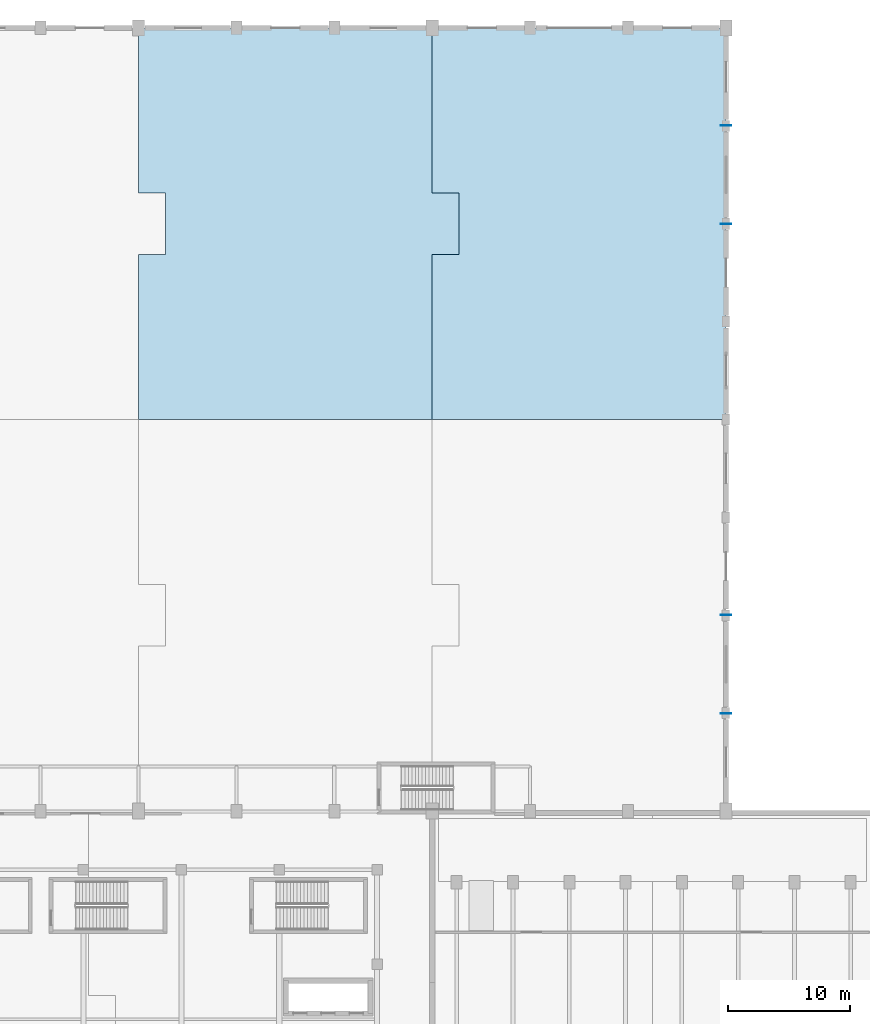
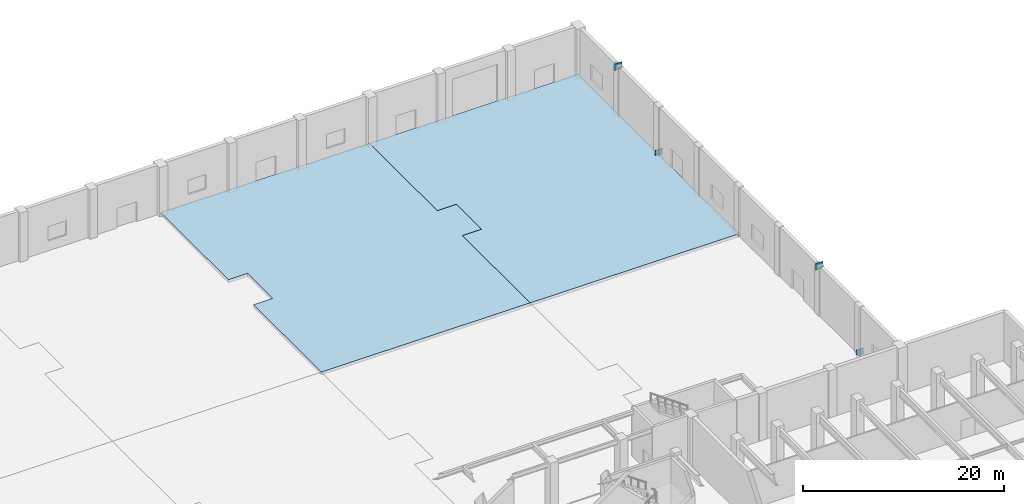
# One storey, part 27 of 49: 4 plates, 2 slabs.
"""IFC4 building model written with IfcOpenShell, lengths in metres."""

from ifc_helpers import new_model, si_unit, direction, frame, origin, origin_2d, place, context, subcontext, project, spatial, polyline, rectangle, outline, extrude, material, layer, layer_set, type_object, element, save


model = new_model("IFC4")

# Units and contexts
model_context = context("Model", 3, precision=1e-05, world=origin(), true_north=direction((0.0, 1.0)))
body_context = subcontext(model_context, "Body", "Model", "MODEL_VIEW")
ifc_project = project(units=[si_unit("LENGTHUNIT", "METRE"), si_unit("AREAUNIT", "SQUARE_METRE"), si_unit("VOLUMEUNIT", "CUBIC_METRE"), si_unit("PLANEANGLEUNIT", "RADIAN"), si_unit("MASSUNIT", "GRAM", prefix="KILO")], contexts=[model_context])

# Site, building, storey
site_placement = place(None, origin())
site = spatial("IfcSite", under=ifc_project, at=site_placement, CompositionType="ELEMENT")
building_placement = place(site_placement, origin())
building = spatial("IfcBuilding", under=site, at=building_placement, Name="Tlacozan Convention Centre", CompositionType="ELEMENT")
storey_placement = place(building_placement, origin())
storey = spatial("IfcBuildingStorey", under=building, at=storey_placement, Name="L00", CompositionType="ELEMENT", Elevation=0.0)

# Plates
ifc_material_1 = material(Name="Steel ASTM A572 Grade 50", Category="steel")
ifc_layer_1 = layer(ifc_material_1, 0.034912109375)
ifc_layer_set_1 = layer_set([ifc_layer_1], Name="Steel ASTM A572 Grade 50")
plate_type = type_object("IfcPlateType", Name="Arch Crown Splice Gusset Plate", PredefinedType="SHEET", material=ifc_layer_set_1)
for number, where, z_axis, x_axis, name in (
    (1, (168.0, 69.982421875, -0.21240234375), (0.0, 0.0, 1.0), (0.0, 1.0, 0.0), "L00 Gusset Cap Plate 961"),
    (2, (168.0, 78.017578125, 5.412109375), (0.0, 0.0, 1.0), (0.0, 1.0, 0.0), "L00 Gusset Cap Plate 962"),
    (3, (168.0, 109.982421875, -0.21240234375), (0.0, 0.0, 1.0), (0.0, 1.0, 0.0), "L00 Gusset Cap Plate 963"),
    (4, (168.0, 118.017578125, 5.412109375), (0.0, 0.0, 1.0), (0.0, 1.0, 0.0), "L00 Gusset Cap Plate 964"),
):
    element("IfcPlate", number, at=place(storey_placement, frame(where, z_axis=z_axis, x_axis=x_axis)), inside=storey, type_object=plate_type, Name=name, PredefinedType="SHEET", context=body_context, shape_type="SweptSolid", body=[
        extrude(rectangle(XDim=0.034912109375, YDim=0.85009765625, at=origin_2d()), origin(), (0.0, 0.0, 1.0), 0.800048828125),
    ])

# Slabs
ifc_material_2 = material(Name="Concrete C40/50", Category="concrete")
ifc_layer_2 = layer(ifc_material_2, 0.3798828125)
ifc_layer_set_2 = layer_set([ifc_layer_2], Name="Concrete C40/50")
slab_type = type_object("IfcSlabType", Name="Heavy Exhibition Floor Slab 380", PredefinedType="FLOOR", material=ifc_layer_set_2)
slab_1_placement = place(storey_placement, frame((0.0, 0.0, -0.3798828125)))
element("IfcSlab", 5, at=slab_1_placement, inside=storey, type_object=slab_type, Name="L00 Heavy Exhibition Floor Slab 380 41", PredefinedType="FLOOR", context=body_context, shape_type="SweptSolid", body=[
    extrude(outline(polyline([(120.0, 107.5), (122.199951171875, 107.5), (122.199951171875, 112.5), (120.0, 112.5), (120.0, 126.0), (144.0, 126.0), (144.0, 112.5), (146.199951171875, 112.5), (146.199951171875, 107.5), (144.0, 107.5), (144.0, 94.0), (120.0, 94.0), (120.0, 107.5)])), origin(), (0.0, 0.0, 1.0), 0.3798828125),
])
slab_2_placement = place(storey_placement, frame((0.0, 0.0, -0.3798828125)))
element("IfcSlab", 6, at=slab_2_placement, inside=storey, type_object=slab_type, Name="L00 Heavy Exhibition Floor Slab 380 43", PredefinedType="FLOOR", context=body_context, shape_type="SweptSolid", body=[
    extrude(outline(polyline([(168.0, 126.0), (168.0, 94.0), (144.0, 94.0), (144.0, 107.5), (146.199951171875, 107.5), (146.199951171875, 112.5), (144.0, 112.5), (144.0, 126.0), (168.0, 126.0)])), origin(), (0.0, 0.0, 1.0), 0.3798828125),
])

save(model, "model.ifc")
